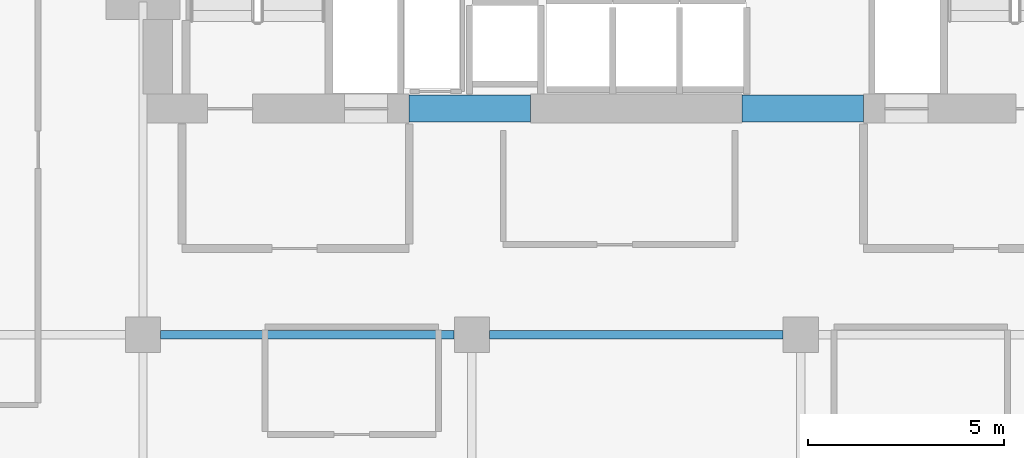
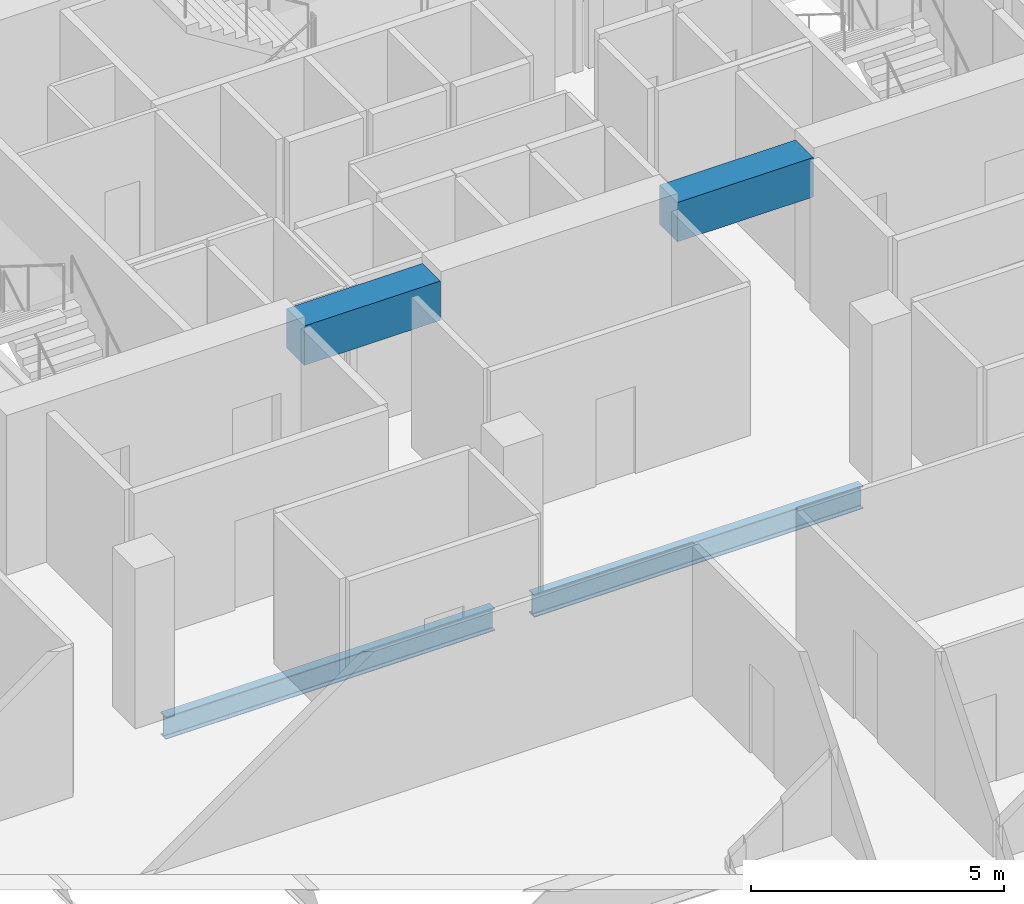
# One storey, part 21 of 32: 4 beams.
"""IFC4 building model written with IfcOpenShell, lengths in metres."""

from ifc_helpers import new_model, si_unit, direction, frame, origin, origin_2d, place, context, subcontext, project, spatial, rectangle, i_section, extrude, material, material_profile, profile_set, type_object, element, save


model = new_model("IFC4")

# Units and contexts
model_context = context("Model", 3, precision=1e-05, world=origin(), true_north=direction((0.0, 1.0)))
body_context = subcontext(model_context, "Body", "Model", "MODEL_VIEW")
ifc_project = project(units=[si_unit("LENGTHUNIT", "METRE"), si_unit("AREAUNIT", "SQUARE_METRE"), si_unit("VOLUMEUNIT", "CUBIC_METRE"), si_unit("PLANEANGLEUNIT", "RADIAN"), si_unit("MASSUNIT", "GRAM", prefix="KILO")], contexts=[model_context])

# Site, building, storey
site_placement = place(None, origin())
site = spatial("IfcSite", under=ifc_project, at=site_placement, CompositionType="ELEMENT")
building_placement = place(site_placement, origin())
building = spatial("IfcBuilding", under=site, at=building_placement, Name="Maruvema Waterfront Hotel and Observation Tower", CompositionType="ELEMENT")
storey_placement = place(building_placement, frame((0.0, 0.0, 219.800048828125)))
storey = spatial("IfcBuildingStorey", under=building, at=storey_placement, Name="L54", CompositionType="ELEMENT", Elevation=219.800048828125)

# Beams
ifc_material_1 = material(Name="Concrete C60/75", Category="concrete")
ifc_material_profile_1 = material_profile(ifc_material_1, rectangle(XDim=0.699951171875, YDim=0.949951171875, at=origin_2d()), Name="CB700x950")
ifc_profile_set_1 = profile_set([ifc_material_profile_1], Name="Concrete C60/75")
beam_type_1 = type_object("IfcBeamType", Name="Core Coupling Lintel Beam CB700x950", PredefinedType="LINTEL", material=ifc_profile_set_1)
for number, where, z_axis, x_axis, name in (
    (1, (32.0, 41.77490234375, 3.135009765625), (1.0, 0.0, 0.0), (0.0, 1.0, 0.0), "L54 Core Coupling Lintel Beam West"),
    (2, (40.5, 41.77490234375, 3.135009765625), (1.0, 0.0, 0.0), (0.0, 1.0, 0.0), "L54 Core Coupling Lintel Beam East"),
):
    element("IfcBeam", number, at=place(storey_placement, frame(where, z_axis=z_axis, x_axis=x_axis)), inside=storey, type_object=beam_type_1, Name=name, PredefinedType="LINTEL", context=body_context, shape_type="SweptSolid", body=[
        extrude(rectangle(XDim=0.699951171875, YDim=0.949951171875, at=origin_2d()), origin(), (0.0, 0.0, 1.0), 3.10009765625),
    ])
ifc_material_2 = material(Name="Steel ASTM A572 Grade 50", Category="steel")
ifc_material_profile_2 = material_profile(ifc_material_2, i_section(OverallWidth=0.2109375, OverallDepth=0.5390625, WebThickness=0.01171875, FlangeThickness=0.018798828125, FilletRadius=0.014892578125, at=origin_2d()), Name="W530x109.0")
ifc_profile_set_2 = profile_set([ifc_material_profile_2], Name="Steel ASTM A572 Grade 50")
beam_type_2 = type_object("IfcBeamType", Name="Primary Floor Girder W530x109.0", PredefinedType="BEAM", material=ifc_profile_set_2)
for number, where, z_axis, x_axis, name in (
    (3, (25.64990234375, 36.0, -0.509521484375), (1.0, 0.0, 0.0), (0.0, 1.0, 0.0), "L54 Floor Girder EW-25"),
    (4, (34.050048828125, 36.0, -0.509521484375), (1.0, 0.0, 0.0), (0.0, 1.0, 0.0), "L54 Floor Girder EW-26"),
):
    element("IfcBeam", number, at=place(storey_placement, frame(where, z_axis=z_axis, x_axis=x_axis)), inside=storey, type_object=beam_type_2, Name=name, PredefinedType="BEAM", context=body_context, shape_type="SweptSolid", body=[
        extrude(i_section(OverallWidth=0.2109375, OverallDepth=0.5390625, WebThickness=0.01171875, FlangeThickness=0.018798828125, FilletRadius=0.014892578125, at=origin_2d()), origin(), (0.0, 0.0, 1.0), 7.5),
    ])

save(model, "model.ifc")
